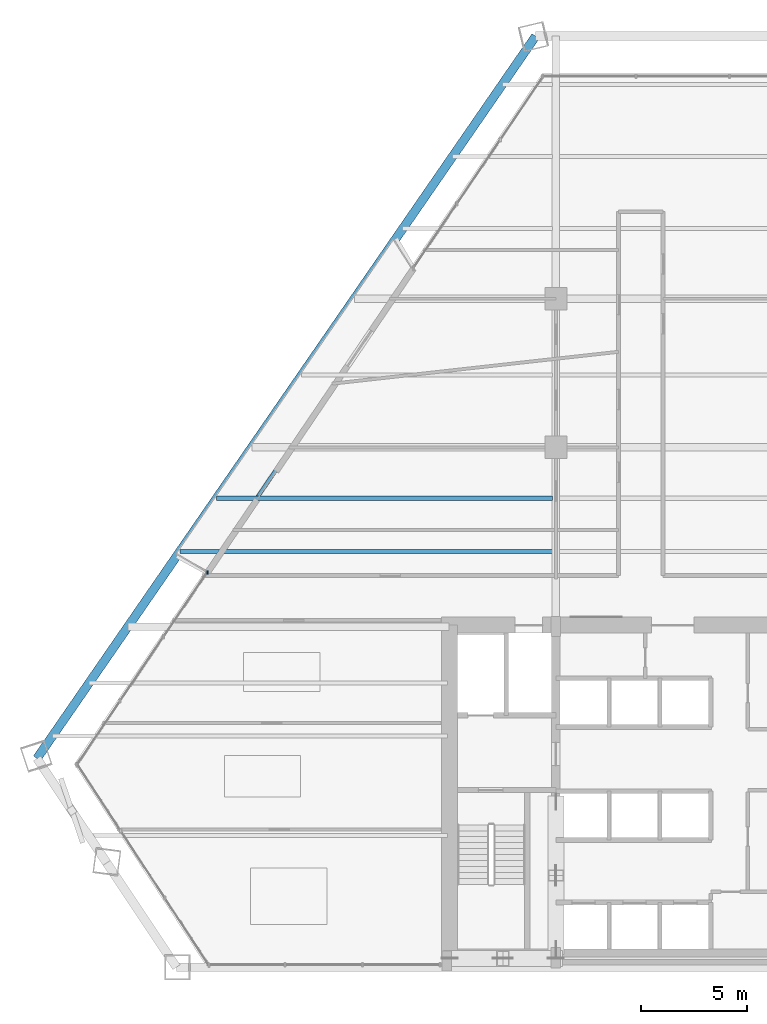
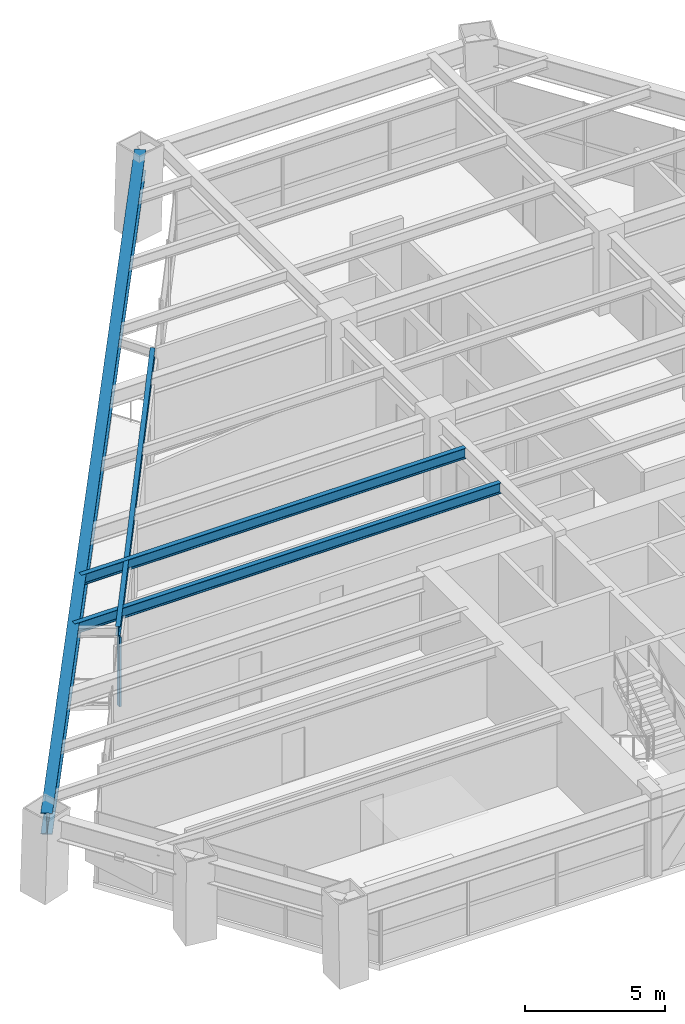
# One storey, part 4 of 14: 4 beams, 1 member, 1 element without a shape of its own.
"""IFC4 building model written with IfcOpenShell, lengths in metres."""

from ifc_helpers import new_model, si_unit, direction, frame, origin, origin_2d, place, context, subcontext, project, spatial, rectangle, i_section, extrude, source, transform, mapped, material, material_profile, profile_set, type_object, element, aggregate, save


model = new_model("IFC4")

# Units and contexts
model_context = context("Model", 3, precision=1e-05, world=origin(), true_north=direction((0.0, 1.0)))
body_context = subcontext(model_context, "Body", "Model", "MODEL_VIEW")
ifc_project = project(units=[si_unit("LENGTHUNIT", "METRE"), si_unit("AREAUNIT", "SQUARE_METRE"), si_unit("VOLUMEUNIT", "CUBIC_METRE"), si_unit("PLANEANGLEUNIT", "RADIAN"), si_unit("MASSUNIT", "GRAM", prefix="KILO")], contexts=[model_context])

# Site, building, storey
site_placement = place(None, origin())
site = spatial("IfcSite", under=ifc_project, at=site_placement, CompositionType="ELEMENT")
building_placement = place(site_placement, origin())
building = spatial("IfcBuilding", under=site, at=building_placement, Name="Varnakhor Terracotta Tower", CompositionType="ELEMENT")
storey_placement = place(building_placement, frame((0.0, 0.0, 76.60009765625)))
storey = spatial("IfcBuildingStorey", under=building, at=storey_placement, Name="L18", CompositionType="ELEMENT", Elevation=76.60009765625)

# Beams
ifc_material_1 = material(Name="Steel S355", Category="steel")
ifc_material_profile_1 = material_profile(ifc_material_1, i_section(OverallWidth=0.41796875, OverallDepth=0.927001953125, WebThickness=0.01904296875, FlangeThickness=0.031982421875, FilletRadius=0.01806640625, at=origin_2d()), Name="W36X231")
ifc_profile_set_1 = profile_set([ifc_material_profile_1], Name="Steel S355")
beam_type_1 = type_object("IfcBeamType", Name="BM-W36X231", PredefinedType="BEAM", material=ifc_profile_set_1)
shared_shape_1 = source(origin(), body_context, "Body", "SweptSolid", [
    extrude(i_section(OverallWidth=0.41796875, OverallDepth=0.927001953125, WebThickness=0.01904296875, FlangeThickness=0.031982421875, FilletRadius=0.01806640625, at=origin_2d()), origin(), (0.0, 0.0, 1.0), 41.358154296875),
])
beam_1_placement = place(storey_placement, frame((-6.455810546875, 43.873291015625, 2.986328125), z_axis=(-0.568170159278, -0.822911094898, 0.0), x_axis=(0.822911094898, -0.568170159278, 0.0)))
element("IfcBeam", 1, at=beam_1_placement, inside=storey, type_object=beam_type_1, Name="L18 Perimeter Spandrel 6", PredefinedType="BEAM", context=body_context, shape_type="MappedRepresentation", body=[
    mapped(shared_shape_1, transform((0.0, 0.0, 0.0), scale=1.0)),
])
ifc_material_profile_2 = material_profile(ifc_material_1, i_section(OverallWidth=0.179931640625, OverallDepth=0.39990234375, WebThickness=0.008544921875, FlangeThickness=0.013427734375, FilletRadius=0.01806640625, at=origin_2d()), Name="IPE400")
ifc_profile_set_2 = profile_set([ifc_material_profile_2], Name="Steel S355")
beam_type_2 = type_object("IfcBeamType", Name="JST-IPE400", PredefinedType="JOIST", material=ifc_profile_set_2)
shared_shape_2 = source(origin(), body_context, "Body", "SweptSolid", [
    extrude(i_section(OverallWidth=0.179931640625, OverallDepth=0.39990234375, WebThickness=0.008544921875, FlangeThickness=0.013427734375, FilletRadius=0.01806640625, at=origin_2d()), origin(), (0.0, 0.0, 1.0), 17.36279296875),
])
beam_2_placement = place(storey_placement, frame((-12.23193359375, 32.97900390625, 3.25), z_axis=(-0.560423988404, -0.828205864035, 0.0), x_axis=(0.828205864035, -0.560423988404, 0.0)))
element("IfcBeam", 2, at=beam_2_placement, inside=storey, type_object=beam_type_2, Name="L18 Loggia Edge Beam 2", PredefinedType="JOIST", context=body_context, shape_type="MappedRepresentation", body=[
    mapped(shared_shape_2, transform((0.0, 0.0, 0.0), scale=1.0)),
])
ifc_material_profile_3 = material_profile(ifc_material_1, i_section(OverallWidth=0.19189453125, OverallDepth=0.462890625, WebThickness=0.010498046875, FlangeThickness=0.017578125, FilletRadius=0.01806640625, at=origin_2d()), Name="W18X60")
ifc_profile_set_3 = profile_set([ifc_material_profile_3], Name="Steel S355")
beam_type_3 = type_object("IfcBeamType", Name="JST-W18X60", PredefinedType="JOIST", material=ifc_profile_set_3)
shared_shape_3 = source(origin(), body_context, "Body", "SweptSolid", [
    extrude(i_section(OverallWidth=0.19189453125, OverallDepth=0.462890625, WebThickness=0.010498046875, FlangeThickness=0.017578125, FilletRadius=0.01806640625, at=origin_2d()), origin(), (0.0, 0.0, 1.0), 17.54150390625),
])
beam_3_placement = place(storey_placement, frame((-23.215087890625, 19.60009765625, 3.218505859375), z_axis=(1.0, 0.0, 0.0), x_axis=(0.0, 1.0, 0.0)))
element("IfcBeam", 3, at=beam_3_placement, inside=storey, type_object=beam_type_3, Name="L18 Composite Floor Joist 4-1", PredefinedType="JOIST", context=body_context, shape_type="MappedRepresentation", body=[
    mapped(shared_shape_3, transform((0.0, 0.0, 0.0), scale=1.0)),
])
shared_shape_4 = source(origin(), body_context, "Body", "SweptSolid", [
    extrude(i_section(OverallWidth=0.19189453125, OverallDepth=0.462890625, WebThickness=0.010498046875, FlangeThickness=0.017578125, FilletRadius=0.01806640625, at=origin_2d()), origin(), (0.0, 0.0, 1.0), 15.8154296875),
])
beam_4_placement = place(storey_placement, frame((-21.489013671875, 22.10009765625, 3.218505859375), z_axis=(1.0, 0.0, 0.0), x_axis=(0.0, 1.0, 0.0)))
element("IfcBeam", 4, at=beam_4_placement, inside=storey, type_object=beam_type_3, Name="L18 Composite Floor Joist 5-1", PredefinedType="JOIST", context=body_context, shape_type="MappedRepresentation", body=[
    mapped(shared_shape_4, transform((0.0, 0.0, 0.0), scale=1.0)),
])

# Curtain wall, member
ifc_material_2 = material(Name="Anodised Aluminium Curtain Wall System", Category="aluminium")
curtain_wall_type = type_object("IfcCurtainWallType", Name="CW-SYS-LOW-OFFICE", PredefinedType="NOTDEFINED", material=ifc_material_2)
curtain_wall_placement = place(storey_placement, origin())
curtain_wall = element("IfcCurtainWall", 5, at=curtain_wall_placement, inside=storey, type_object=curtain_wall_type, Name="L18 W Facet Curtain Wall 1", PredefinedType="NOTDEFINED")
ifc_material_3 = material(Name="Anodised Aluminium 6063-T6", Category="aluminium")
ifc_material_profile_4 = material_profile(ifc_material_3, rectangle(XDim=0.074951171875, YDim=0.18505859375, at=origin_2d()), Name="ALU MULLION 75x185")
ifc_profile_set_4 = profile_set([ifc_material_profile_4], Name="Anodised Aluminium 6063-T6")
member_type = type_object("IfcMemberType", Name="CWM-02", PredefinedType="MULLION", material=ifc_profile_set_4)
shared_shape_5 = source(origin(), body_context, "Body", "SweptSolid", [
    extrude(rectangle(XDim=0.074951171875, YDim=0.18505859375, at=origin_2d()), origin(), (0.0, 0.0, 1.0), 3.02978515625),
])
member_placement = place(storey_placement, frame((-21.9130859375, 18.601806640625, 0.0), z_axis=(0.0, 0.0, 1.0), x_axis=(1.0, 0.0, 0.0)))
member = element("IfcMember", 6, at=member_placement, type_object=member_type, Name="L18 W Loggia Jamb Closure Mullion 1", PredefinedType="MULLION", context=body_context, shape_type="MappedRepresentation", body=[
    mapped(shared_shape_5, transform((0.0, 0.0, 0.0), scale=1.0)),
])
aggregate(curtain_wall, [member])

save(model, "model.ifc")
